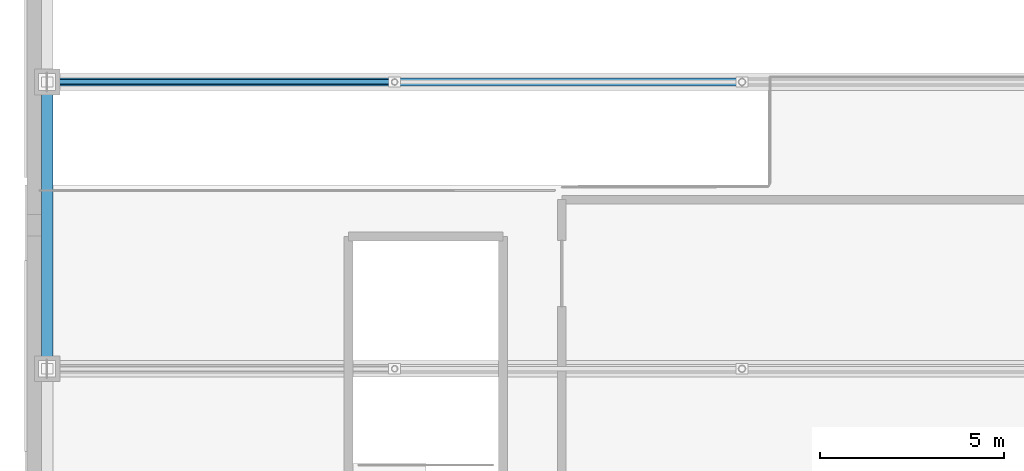
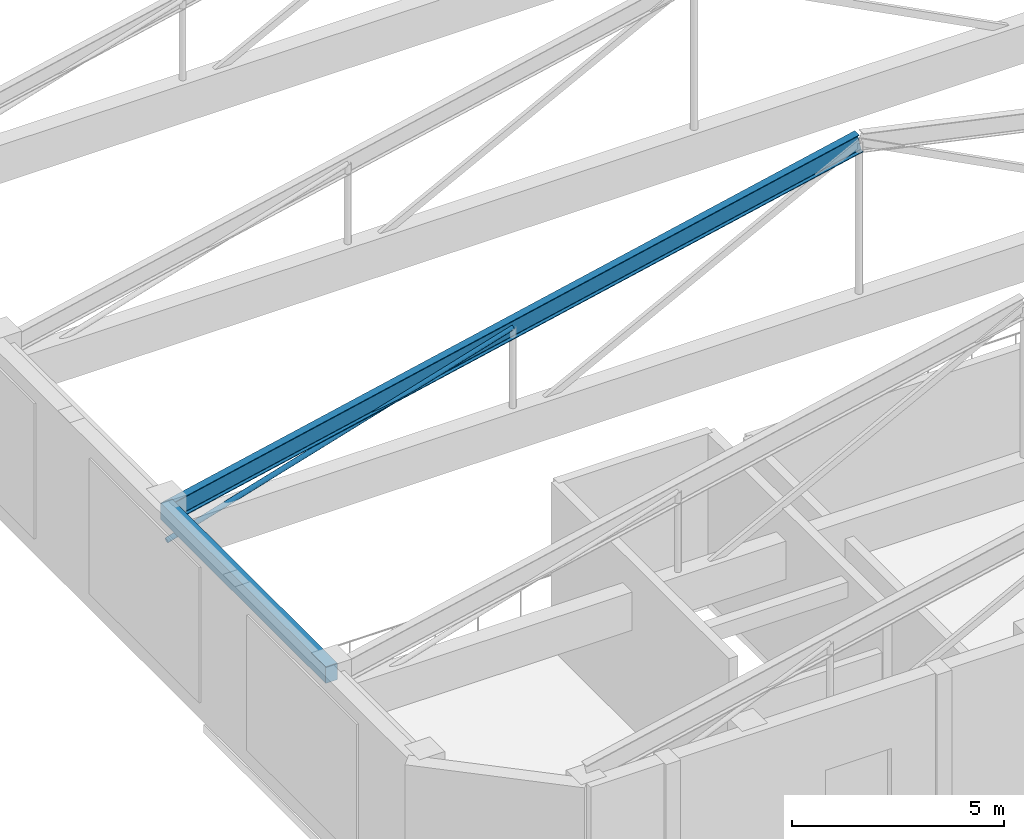
# One storey, part 21 of 105: 2 beams, 1 member.
"""IFC4 building model written with IfcOpenShell, lengths in metres."""

from ifc_helpers import new_model, si_unit, direction, frame, origin, origin_2d, place, context, subcontext, project, spatial, rectangle, hollow_circle, i_section, extrude, material, material_profile, profile_set, type_object, element, save


model = new_model("IFC4")

# Units and contexts
model_context = context("Model", 3, precision=1e-05, world=origin(), true_north=direction((0.0, 1.0)))
body_context = subcontext(model_context, "Body", "Model", "MODEL_VIEW")
ifc_project = project(units=[si_unit("LENGTHUNIT", "METRE"), si_unit("AREAUNIT", "SQUARE_METRE"), si_unit("VOLUMEUNIT", "CUBIC_METRE"), si_unit("PLANEANGLEUNIT", "RADIAN"), si_unit("MASSUNIT", "GRAM", prefix="KILO")], contexts=[model_context])

# Site, building, storey
site_placement = place(None, origin())
site = spatial("IfcSite", under=ifc_project, at=site_placement, CompositionType="ELEMENT")
building_placement = place(site_placement, origin())
building = spatial("IfcBuilding", under=site, at=building_placement, Name="Pelvatis Terrace Science Centre", CompositionType="ELEMENT")
storey_placement = place(building_placement, frame((0.0, 0.0, 10.199951171875)))
storey = spatial("IfcBuildingStorey", under=building, at=storey_placement, Name="L02", CompositionType="ELEMENT", Elevation=10.199951171875)

# Beams
ifc_material_1 = material(Name="Concrete C35/45", Category="concrete")
ifc_material_profile_1 = material_profile(ifc_material_1, rectangle(XDim=0.320068359375, YDim=0.47998046875, at=origin_2d()), Name="RC-BM 320x480")
ifc_profile_set_1 = profile_set([ifc_material_profile_1], Name="Concrete C35/45")
beam_type_1 = type_object("IfcBeamType", Name="BM-RC-320x480", PredefinedType="BEAM", material=ifc_profile_set_1)
beam_1_placement = place(storey_placement, frame((8.39990234375, 78.0, 4.300048828125), z_axis=(0.0, 1.0, 0.0), x_axis=(-1.0, 0.0, 0.0)))
element("IfcBeam", 1, at=beam_1_placement, inside=storey, type_object=beam_type_1, Name="Beam BM-L02-2881", PredefinedType="BEAM", context=body_context, shape_type="SweptSolid", body=[
    extrude(rectangle(XDim=0.320068359375, YDim=0.47998046875, at=origin_2d()), origin(), (0.0, 0.0, 1.0), 7.800048828125),
])
ifc_material_2 = material(Name="Structural steel S355", Category="steel")
ifc_material_profile_2 = material_profile(ifc_material_2, i_section(OverallWidth=0.2109375, OverallDepth=0.5390625, WebThickness=0.01171875, FlangeThickness=0.018798828125, FilletRadius=0.013916015625, at=origin_2d()), Name="W530x109")
ifc_profile_set_2 = profile_set([ifc_material_profile_2], Name="Structural steel S355")
beam_type_2 = type_object("IfcBeamType", Name="BM-STL-W530x109", PredefinedType="BEAM", material=ifc_profile_set_2)
beam_2_placement = place(storey_placement, frame((8.39990234375, 85.800048828125, 4.199951171875), z_axis=(0.977268898486, 0.0, 0.212003537831), x_axis=(0.0, 1.0, 0.0)))
element("IfcBeam", 2, at=beam_2_placement, inside=storey, type_object=beam_type_2, Name="Theatre roof truss 3 west top girder", PredefinedType="BEAM", context=body_context, shape_type="SweptSolid", body=[
    extrude(i_section(OverallWidth=0.2109375, OverallDepth=0.5390625, WebThickness=0.01171875, FlangeThickness=0.018798828125, FilletRadius=0.013916015625, at=origin_2d()), origin(), (0.0, 0.0, 1.0), 19.33984375),
])

# Member
ifc_material_3 = material(Name="Structural steel S355", Category="steel")
ifc_material_profile_3 = material_profile(ifc_material_3, hollow_circle(Radius=0.06982421875, WallThickness=0.0048828125, at=origin_2d()), Name="CHS 139.7x5.0")
ifc_profile_set_3 = profile_set([ifc_material_profile_3], Name="Structural steel S355")
member_type = type_object("IfcMemberType", Name="MEM-BRC-CHS140", PredefinedType="BRACE", material=ifc_profile_set_3)
member_placement = place(storey_placement, frame((8.39990234375, 85.800048828125, 3.400146484375), z_axis=(0.95741275829, 0.0, 0.288722722112), x_axis=(0.0, 1.0, 0.0)))
element("IfcMember", 3, at=member_placement, inside=storey, type_object=member_type, Name="Theatre truss 3 web 3", PredefinedType="BRACE", context=body_context, shape_type="SweptSolid", body=[
    extrude(hollow_circle(Radius=0.06982421875, WallThickness=0.0048828125, at=origin_2d()), origin(), (0.0, 0.0, 1.0), 9.87060546875),
])

save(model, "model.ifc")
